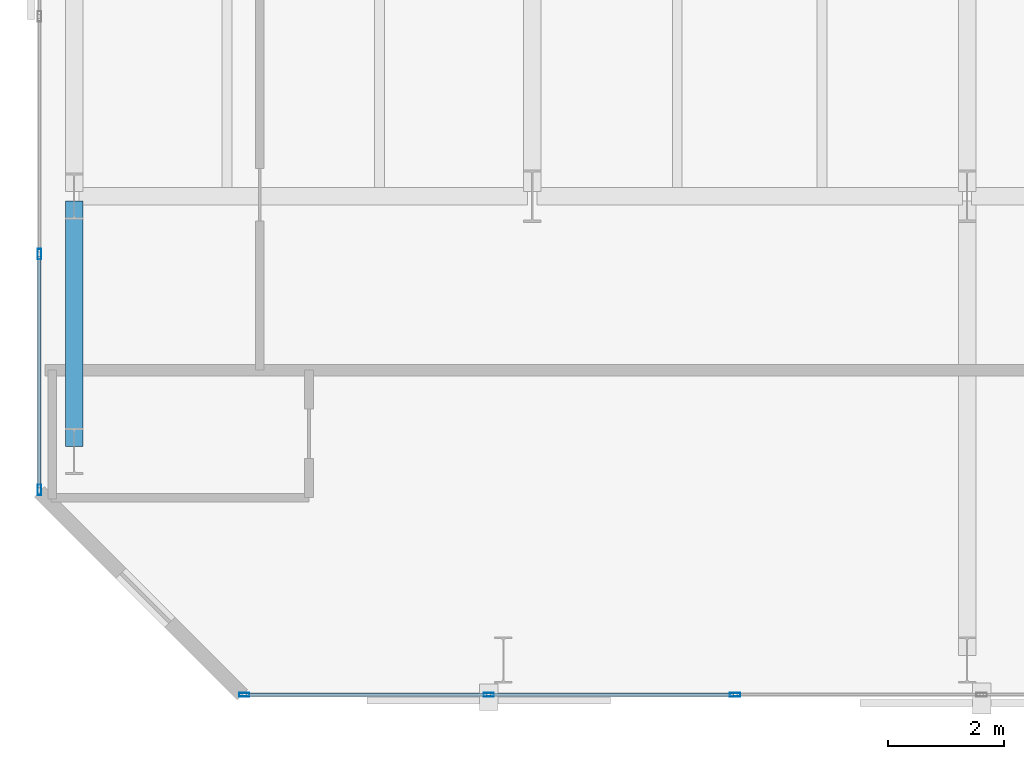
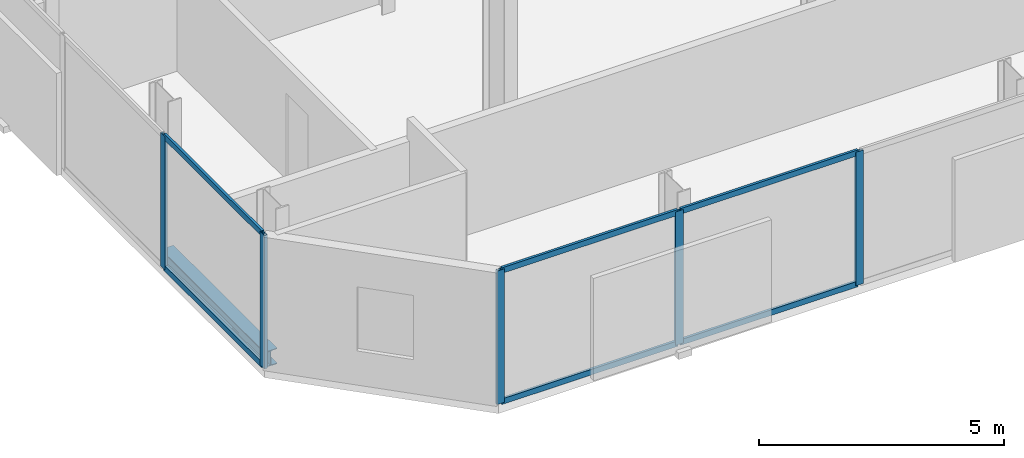
# One storey, part 3 of 33: 11 members, 1 beam, 2 elements without a shape of their own.
"""IFC4 building model written with IfcOpenShell, lengths in metres."""

from ifc_helpers import new_model, si_unit, direction, frame, origin, origin_2d, place, context, subcontext, project, spatial, hollow_rectangle, i_section, extrude, material, layer, layer_set, material_profile, profile_set, type_object, element, aggregate, save


model = new_model("IFC4")

# Units and contexts
model_context = context("Model", 3, precision=1e-05, world=origin(), true_north=direction((0.0, 1.0)))
body_context = subcontext(model_context, "Body", "Model", "MODEL_VIEW")
ifc_project = project(units=[si_unit("LENGTHUNIT", "METRE"), si_unit("AREAUNIT", "SQUARE_METRE"), si_unit("VOLUMEUNIT", "CUBIC_METRE"), si_unit("PLANEANGLEUNIT", "RADIAN"), si_unit("MASSUNIT", "GRAM", prefix="KILO")], contexts=[model_context])

# Site, building, storey
site_placement = place(None, origin())
site = spatial("IfcSite", under=ifc_project, at=site_placement, CompositionType="ELEMENT")
building_placement = place(site_placement, origin())
building = spatial("IfcBuilding", under=site, at=building_placement, Name="Catumbela Crestline Tower", CompositionType="ELEMENT")
storey_placement = place(building_placement, frame((0.0, 0.0, 54.6)))
storey = spatial("IfcBuildingStorey", under=building, at=storey_placement, Name="L13", CompositionType="ELEMENT", Elevation=54.6)

# Curtain wall, members
ifc_material_1 = material(Name="Aluminium alloy AW-6060-T66", Category="aluminium")
ifc_layer = layer(ifc_material_1, 0.18, Name="Aluminium alloy AW-6060-T66")
ifc_layer_set = layer_set([ifc_layer], Name="Aluminium alloy AW-6060-T66")
curtain_wall_type = type_object("IfcCurtainWallType", Name="CWU-Z1", PredefinedType="USERDEFINED", material=ifc_layer_set)
curtain_wall_1_placement = place(storey_placement, origin())
curtain_wall_1 = element("IfcCurtainWall", 1, at=curtain_wall_1_placement, inside=storey, type_object=curtain_wall_type, Name="L13 Unitised Curtain Wall CW-L13-E0S1", ObjectType="UNITISED", PredefinedType="USERDEFINED")
ifc_material_profile_1 = material_profile(ifc_material_1, hollow_rectangle(XDim=0.065, YDim=0.18, WallThickness=0.004, at=origin_2d()), Name="ALU 180x65x4")
ifc_profile_set_1 = profile_set([ifc_material_profile_1], Name="Aluminium alloy AW-6060-T66")
member_type_1 = type_object("IfcMemberType", Name="MUL-180X65", PredefinedType="MULLION", material=ifc_profile_set_1)
member_1_placement = place(storey_placement, frame((3.5325, 0.0, 0.0), z_axis=(0.0, 0.0, 1.0), x_axis=(0.0, 1.0, 0.0)))
member_1 = element("IfcMember", 2, at=member_1_placement, type_object=member_type_1, Name="CWU-Z1 mullion 1", PredefinedType="MULLION", context=body_context, shape_type="SweptSolid", body=[
    extrude(hollow_rectangle(XDim=0.065, YDim=0.18, WallThickness=0.004, at=origin_2d()), origin(), (0.0, 0.0, 1.0), 3.33),
])
member_2_placement = place(storey_placement, frame((7.75, 0.0, 0.0), z_axis=(0.0, 0.0, 1.0), x_axis=(0.0, 1.0, 0.0)))
member_2 = element("IfcMember", 3, at=member_2_placement, type_object=member_type_1, Name="CWU-Z1 mullion 2", PredefinedType="MULLION", context=body_context, shape_type="SweptSolid", body=[
    extrude(hollow_rectangle(XDim=0.065, YDim=0.18, WallThickness=0.004, at=origin_2d()), origin(), (0.0, 0.0, 1.0), 3.33),
])
member_3_placement = place(storey_placement, frame((12.0, 0.0, 0.0), z_axis=(0.0, 0.0, 1.0), x_axis=(0.0, 1.0, 0.0)))
member_3 = element("IfcMember", 4, at=member_3_placement, type_object=member_type_1, Name="CWU-Z1 mullion 3", PredefinedType="MULLION", context=body_context, shape_type="SweptSolid", body=[
    extrude(hollow_rectangle(XDim=0.065, YDim=0.18, WallThickness=0.004, at=origin_2d()), origin(), (0.0, 0.0, 1.0), 3.33),
])

curtain_wall_2_placement = place(storey_placement, origin())
curtain_wall_2 = element("IfcCurtainWall", 5, at=curtain_wall_2_placement, inside=storey, type_object=curtain_wall_type, Name="L13 Unitised Curtain Wall CW-L13-E9S1", ObjectType="UNITISED", PredefinedType="USERDEFINED")
member_4_placement = place(storey_placement, frame((0.0, 7.6, 0.0), z_axis=(0.0, 0.0, 1.0), x_axis=(1.0, 0.0, 0.0)))
member_4 = element("IfcMember", 6, at=member_4_placement, type_object=member_type_1, Name="CWU-Z1 mullion 10", PredefinedType="MULLION", context=body_context, shape_type="SweptSolid", body=[
    extrude(hollow_rectangle(XDim=0.065, YDim=0.18, WallThickness=0.004, at=origin_2d()), origin(), (0.0, 0.0, 1.0), 3.33),
])
member_5_placement = place(storey_placement, frame((0.0, 3.5325, 0.0), z_axis=(0.0, 0.0, 1.0), x_axis=(1.0, 0.0, 0.0)))
member_5 = element("IfcMember", 7, at=member_5_placement, type_object=member_type_1, Name="CWU-Z1 mullion 11", PredefinedType="MULLION", context=body_context, shape_type="SweptSolid", body=[
    extrude(hollow_rectangle(XDim=0.065, YDim=0.18, WallThickness=0.004, at=origin_2d()), origin(), (0.0, 0.0, 1.0), 3.33),
])

# Beam
ifc_material_2 = material(Name="Structural steel S355J2", Category="steel")
ifc_material_profile_2 = material_profile(ifc_material_2, i_section(OverallWidth=0.3, OverallDepth=0.39, WebThickness=0.011, FlangeThickness=0.019, FilletRadius=0.027, at=origin_2d()), Name="HEA 400")
ifc_profile_set_2 = profile_set([ifc_material_profile_2], Name="Structural steel S355J2")
beam_type = type_object("IfcBeamType", Name="BS-HEA400", PredefinedType="SPANDREL", material=ifc_profile_set_2)
beam_placement = place(storey_placement, frame((0.6, 4.28, -0.455), z_axis=(0.0, 1.0, 0.0), x_axis=(-1.0, 0.0, 0.0)))
element("IfcBeam", 8, at=beam_placement, inside=storey, type_object=beam_type, Name="L13 Spandrel SP-L13-WNS57", PredefinedType="SPANDREL", context=body_context, shape_type="SweptSolid", body=[
    extrude(i_section(OverallWidth=0.3, OverallDepth=0.39, WebThickness=0.011, FlangeThickness=0.019, FilletRadius=0.027, at=origin_2d()), origin(), (0.0, 0.0, 1.0), 4.24),
])

# Member
ifc_material_profile_3 = material_profile(ifc_material_1, hollow_rectangle(XDim=0.06, YDim=0.14, WallThickness=0.004, at=origin_2d()), Name="ALU 140x60x4")
ifc_profile_set_3 = profile_set([ifc_material_profile_3], Name="Aluminium alloy AW-6060-T66")
member_type_2 = type_object("IfcMemberType", Name="TRN-140X60", PredefinedType="USERDEFINED", material=ifc_profile_set_3)
member_6_placement = place(storey_placement, frame((3.565, 0.0, 0.03), z_axis=(1.0, 0.0, 0.0), x_axis=(0.0, 1.0, 0.0)))
member_6 = element("IfcMember", 9, at=member_6_placement, type_object=member_type_2, Name="CWU-Z1 transom 1.1", ObjectType="TRANSOM", PredefinedType="USERDEFINED", context=body_context, shape_type="SweptSolid", body=[
    extrude(hollow_rectangle(XDim=0.06, YDim=0.14, WallThickness=0.004, at=origin_2d()), origin(), (0.0, 0.0, 1.0), 4.1525),
])

member_7_placement = place(storey_placement, frame((3.565, 0.0, 3.3), z_axis=(1.0, 0.0, 0.0), x_axis=(0.0, 1.0, 0.0)))
member_7 = element("IfcMember", 10, at=member_7_placement, type_object=member_type_2, Name="CWU-Z1 transom 1.2", ObjectType="TRANSOM", PredefinedType="USERDEFINED", context=body_context, shape_type="SweptSolid", body=[
    extrude(hollow_rectangle(XDim=0.06, YDim=0.14, WallThickness=0.004, at=origin_2d()), origin(), (0.0, 0.0, 1.0), 4.1525),
])

member_8_placement = place(storey_placement, frame((7.7825, 0.0, 0.03), z_axis=(1.0, 0.0, 0.0), x_axis=(0.0, 1.0, 0.0)))
member_8 = element("IfcMember", 11, at=member_8_placement, type_object=member_type_2, Name="CWU-Z1 transom 2.1", ObjectType="TRANSOM", PredefinedType="USERDEFINED", context=body_context, shape_type="SweptSolid", body=[
    extrude(hollow_rectangle(XDim=0.06, YDim=0.14, WallThickness=0.004, at=origin_2d()), origin(), (0.0, 0.0, 1.0), 4.185),
])

member_9_placement = place(storey_placement, frame((7.7825, 0.0, 3.3), z_axis=(1.0, 0.0, 0.0), x_axis=(0.0, 1.0, 0.0)))
member_9 = element("IfcMember", 12, at=member_9_placement, type_object=member_type_2, Name="CWU-Z1 transom 2.2", ObjectType="TRANSOM", PredefinedType="USERDEFINED", context=body_context, shape_type="SweptSolid", body=[
    extrude(hollow_rectangle(XDim=0.06, YDim=0.14, WallThickness=0.004, at=origin_2d()), origin(), (0.0, 0.0, 1.0), 4.185),
])

aggregate(curtain_wall_1, [member_1, member_2, member_3, member_6, member_7, member_8, member_9])

member_10_placement = place(storey_placement, frame((0.0, 7.5675, 0.03), z_axis=(0.0, -1.0, 0.0), x_axis=(1.0, 0.0, 0.0)))
member_10 = element("IfcMember", 13, at=member_10_placement, type_object=member_type_2, Name="CWU-Z1 transom 10.1", ObjectType="TRANSOM", PredefinedType="USERDEFINED", context=body_context, shape_type="SweptSolid", body=[
    extrude(hollow_rectangle(XDim=0.06, YDim=0.14, WallThickness=0.004, at=origin_2d()), origin(), (0.0, 0.0, 1.0), 4.0025),
])

member_11_placement = place(storey_placement, frame((0.0, 7.5675, 3.3), z_axis=(0.0, -1.0, 0.0), x_axis=(1.0, 0.0, 0.0)))
member_11 = element("IfcMember", 14, at=member_11_placement, type_object=member_type_2, Name="CWU-Z1 transom 10.2", ObjectType="TRANSOM", PredefinedType="USERDEFINED", context=body_context, shape_type="SweptSolid", body=[
    extrude(hollow_rectangle(XDim=0.06, YDim=0.14, WallThickness=0.004, at=origin_2d()), origin(), (0.0, 0.0, 1.0), 4.0025),
])

aggregate(curtain_wall_2, [member_4, member_5, member_10, member_11])

save(model, "model.ifc")
